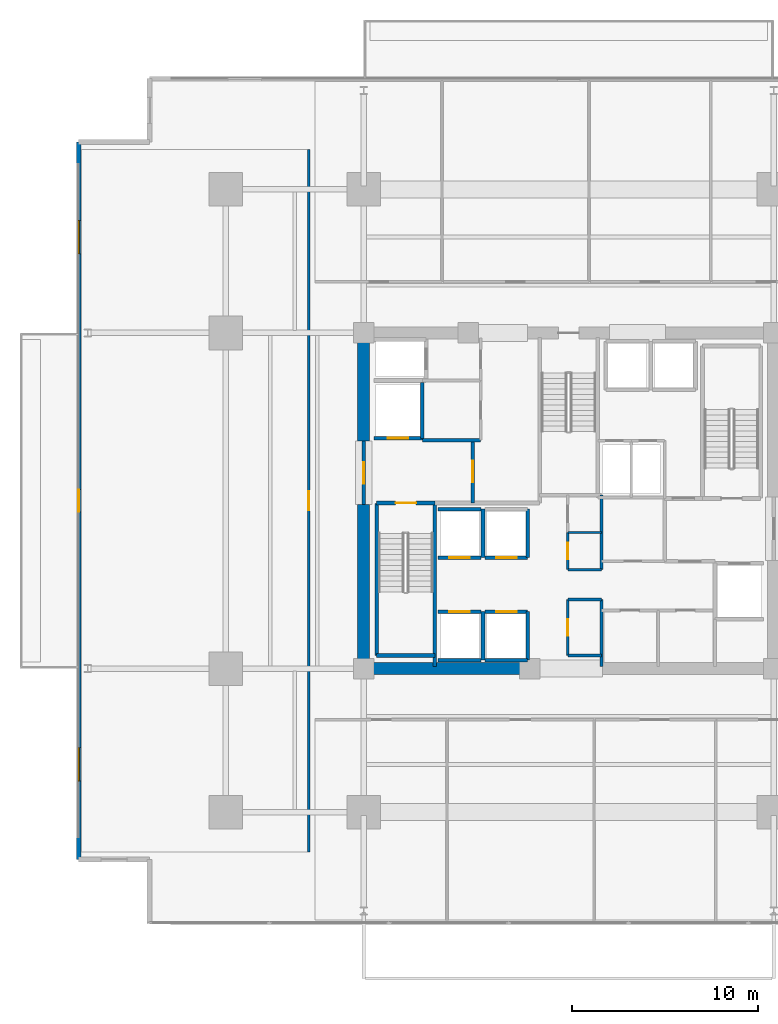
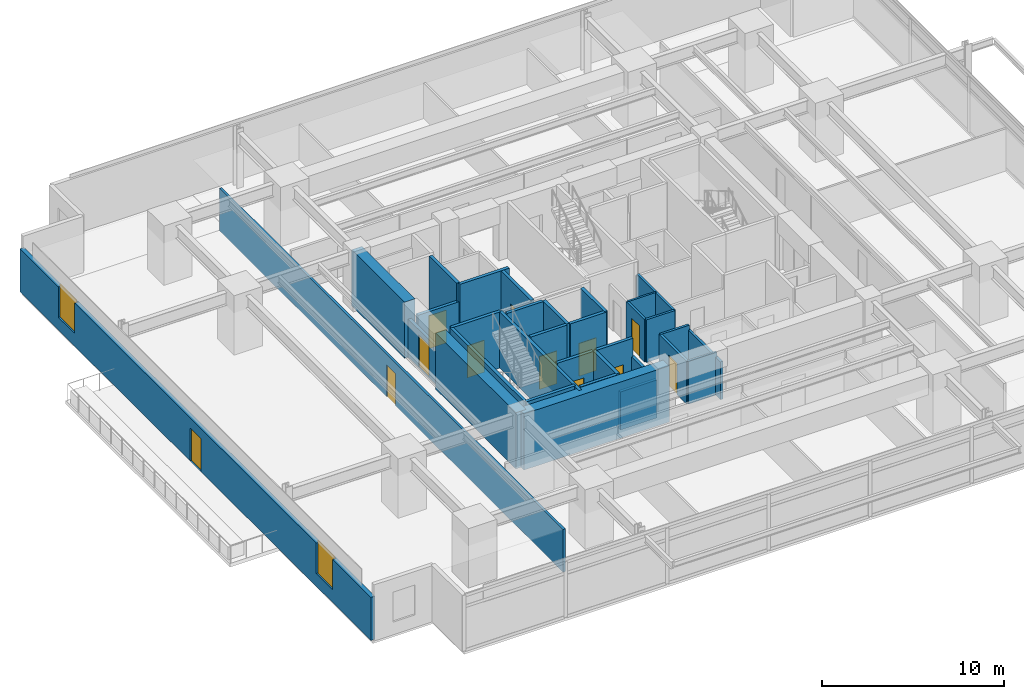
# One storey, part 12 of 19: 33 walls, 12 doors, 2 windows, 14 openings.
"""IFC4 building model written with IfcOpenShell, lengths in metres."""

from ifc_helpers import new_model, si_unit, direction, frame, frame_2d, origin, place, context, subcontext, project, spatial, rectangle, extrude, material, layer, layer_set, type_object, element, fill, save


model = new_model("IFC4")

# Units and contexts
model_context = context("Model", 3, precision=1e-05, world=origin(), true_north=direction((0.0, 1.0)))
body_context = subcontext(model_context, "Body", "Model", "MODEL_VIEW")
ifc_project = project(units=[si_unit("LENGTHUNIT", "METRE"), si_unit("AREAUNIT", "SQUARE_METRE"), si_unit("VOLUMEUNIT", "CUBIC_METRE"), si_unit("PLANEANGLEUNIT", "RADIAN"), si_unit("MASSUNIT", "GRAM", prefix="KILO")], contexts=[model_context])

# Site, building, storey
site_placement = place(None, origin())
site = spatial("IfcSite", under=ifc_project, at=site_placement, CompositionType="ELEMENT")
building_placement = place(site_placement, origin())
building = spatial("IfcBuilding", under=site, at=building_placement, Name="Kovane Verandah Tower", CompositionType="ELEMENT")
storey_placement = place(building_placement, frame((0.0, 0.0, 83.60009765625)))
storey = spatial("IfcBuildingStorey", under=building, at=storey_placement, Name="L19", CompositionType="ELEMENT", Elevation=83.60009765625)

# Walls
ifc_material_1 = material(Name="Fire-Rated Gypsum Stud Partition", Category="gypsum")
ifc_layer_1 = layer(ifc_material_1, 0.14990234375)
ifc_layer_set_1 = layer_set([ifc_layer_1], Name="Fire-Rated Gypsum Stud Partition")
wall_type_1 = type_object("IfcWallType", Name="WL-COR-150", PredefinedType="PARTITIONING", material=ifc_layer_set_1)
for number, where, z_axis, x_axis, name in (
    (1, (39.949951171875, 19.199951171875, 0.0), (0.0, 0.0, 1.0), (1.0, 0.0, 0.0), "L19 Central Core Strip South Wall"),
    (2, (39.949951171875, 22.199951171875, 0.0), (0.0, 0.0, 1.0), (1.0, 0.0, 0.0), "L19 Core Cross-Passage South Wall"),
    (3, (39.949951171875, 23.800048828125, 0.0), (0.0, 0.0, 1.0), (1.0, 0.0, 0.0), "L19 Core Cross-Passage North Wall"),
):
    element("IfcWall", number, at=place(storey_placement, frame(where, z_axis=z_axis, x_axis=x_axis)), inside=storey, type_object=wall_type_1, Name=name, PredefinedType="PARTITIONING", context=body_context, shape_type="SweptSolid", body=[
        extrude(rectangle(XDim=1.81005859375, YDim=0.14990234375, at=frame_2d((0.905029296875, 0.0))), origin(), (0.0, 0.0, 1.0), 2.849853515625),
    ])
wall_1_placement = place(storey_placement, frame((41.760009765625, 18.60009765625, 0.0), z_axis=(0.0, 0.0, 1.0), x_axis=(0.0, 1.0, 0.0)))
element("IfcWall", 4, at=wall_1_placement, inside=storey, type_object=wall_type_1, Name="L19 Central Core Strip Lower East Wall", PredefinedType="PARTITIONING", context=body_context, shape_type="SweptSolid", body=[
    extrude(rectangle(XDim=3.599853515625, YDim=0.14990234375, at=frame_2d((1.7998046875, 0.0))), origin(), (0.0, 0.0, 1.0), 2.539794921875),
])
wall_2_placement = place(storey_placement, frame((41.760009765625, 23.800048828125, 0.0), z_axis=(0.0, 0.0, 1.0), x_axis=(0.0, 1.0, 0.0)))
element("IfcWall", 5, at=wall_2_placement, inside=storey, type_object=wall_type_1, Name="L19 Central Core Strip Upper East Wall", PredefinedType="PARTITIONING", context=body_context, shape_type="SweptSolid", body=[
    extrude(rectangle(XDim=4.0, YDim=0.14990234375, at=frame_2d((2.0, 0.0))), origin(), (0.0, 0.0, 1.0), 2.849853515625),
])

# Wall, opening, door
wall_3_placement = place(storey_placement, frame((39.949951171875, 19.199951171875, 0.0), z_axis=(0.0, 0.0, 1.0), x_axis=(0.0, 1.0, 0.0)))
wall_3 = element("IfcWall", 6, at=wall_3_placement, inside=storey, type_object=wall_type_1, Name="L19 Male Toilet Partition", PredefinedType="PARTITIONING", context=body_context, shape_type="SweptSolid", body=[
    extrude(rectangle(XDim=3.0, YDim=0.14990234375, at=frame_2d((1.5, 0.0))), origin(), (0.0, 0.0, 1.0), 2.849853515625),
])
opening_1_placement = place(wall_3_placement, frame((1.050048828125, 0.0, 0.0)))
opening_1 = element("IfcOpeningElement", 7, at=opening_1_placement, cuts=wall_3, Name="Opening DR-L19-030", PredefinedType="OPENING", context=body_context, shape_type="SweptSolid", body=[
    extrude(rectangle(XDim=0.89990234375, YDim=2.10009765625, at=frame_2d((0.449951171875, 1.050048828125))), frame((0.0, 0.074951171875, 0.0), z_axis=(0.0, -1.0, 0.0), x_axis=(1.0, 0.0, 0.0)), (0.0, 0.0, 1.0), 0.14990234375),
])
ifc_material_2 = material(Name="Moisture-Resistant Laminate Washroom Door", Category="wood")
door_type_1 = type_object("IfcDoorType", Name="DR-WC-900", OperationType="SINGLE_SWING_LEFT", PredefinedType="DOOR", material=ifc_material_2)
door_1_placement = place(opening_1_placement, origin())
door_1 = element("IfcDoor", 8, at=door_1_placement, inside=storey, type_object=door_type_1, Name="L19 Male Toilet Door", OperationType="SINGLE_SWING_RIGHT", OverallHeight=2.10009765625, OverallWidth=0.89990234375, PredefinedType="DOOR", context=body_context, shape_type="SweptSolid", body=[
    extrude(rectangle(XDim=0.89990234375, YDim=2.10009765625, at=frame_2d((0.449951171875, 1.050048828125))), frame((0.0, 0.02490234375, 0.0), z_axis=(0.0, -1.0, 0.0), x_axis=(1.0, 0.0, 0.0)), (0.0, 0.0, 1.0), 0.050048828125),
])
fill(opening_1, door_1)

wall_4_placement = place(storey_placement, frame((39.949951171875, 23.800048828125, 0.0), z_axis=(0.0, 0.0, 1.0), x_axis=(0.0, 1.0, 0.0)))
wall_4 = element("IfcWall", 9, at=wall_4_placement, inside=storey, type_object=wall_type_1, Name="L19 Female Toilet Partition", PredefinedType="PARTITIONING", context=body_context, shape_type="SweptSolid", body=[
    extrude(rectangle(XDim=2.0, YDim=0.14990234375, at=frame_2d((1.0, 0.0))), origin(), (0.0, 0.0, 1.0), 2.849853515625),
])
opening_2_placement = place(wall_4_placement, frame((0.550048828125, 0.0, 0.0)))
opening_2 = element("IfcOpeningElement", 10, at=opening_2_placement, cuts=wall_4, Name="Opening DR-L19-029", PredefinedType="OPENING", context=body_context, shape_type="SweptSolid", body=[
    extrude(rectangle(XDim=0.89990234375, YDim=2.10009765625, at=frame_2d((0.449951171875, 1.050048828125))), frame((0.0, 0.074951171875, 0.0), z_axis=(0.0, -1.0, 0.0), x_axis=(1.0, 0.0, 0.0)), (0.0, 0.0, 1.0), 0.14990234375),
])
door_2_placement = place(opening_2_placement, origin())
door_2 = element("IfcDoor", 11, at=door_2_placement, inside=storey, type_object=door_type_1, Name="L19 Female Toilet Door", OperationType="SINGLE_SWING_LEFT", OverallHeight=2.10009765625, OverallWidth=0.89990234375, PredefinedType="DOOR", context=body_context, shape_type="SweptSolid", body=[
    extrude(rectangle(XDim=0.89990234375, YDim=2.10009765625, at=frame_2d((0.449951171875, 1.050048828125))), frame((0.0, 0.02490234375, 0.0), z_axis=(0.0, -1.0, 0.0), x_axis=(1.0, 0.0, 0.0)), (0.0, 0.0, 1.0), 0.050048828125),
])
fill(opening_2, door_2)

wall_5_placement = place(storey_placement, frame((26.050048828125, 8.660888671875, 0.0), z_axis=(0.0, 0.0, 1.0), x_axis=(0.0, 1.0, 0.0)))
wall_5 = element("IfcWall", 12, at=wall_5_placement, inside=storey, type_object=wall_type_1, Name="L19 Focus Studio W1 Corridor Partition", PredefinedType="PARTITIONING", context=body_context, shape_type="SweptSolid", body=[
    extrude(rectangle(XDim=37.67822265625, YDim=0.14990234375, at=frame_2d((18.839111328125, 0.0))), origin(), (0.0, 0.0, 1.0), 2.849853515625),
])
opening_3_placement = place(wall_5_placement, frame((18.339111328125, 0.0, 0.0)))
opening_3 = element("IfcOpeningElement", 13, at=opening_3_placement, cuts=wall_5, Name="Opening DR-L19-031", PredefinedType="OPENING", context=body_context, shape_type="SweptSolid", body=[
    extrude(rectangle(XDim=1.0, YDim=2.14990234375, at=frame_2d((0.5, 1.074951171875))), frame((0.0, 0.074951171875, 0.0), z_axis=(0.0, -1.0, 0.0), x_axis=(1.0, 0.0, 0.0)), (0.0, 0.0, 1.0), 0.14990234375),
])
ifc_material_3 = material(Name="FSC Spotted-Gum Timber Fire-Rated Office Door", Category="wood")
door_type_2 = type_object("IfcDoorType", Name="DR-OFF-1000", OperationType="SINGLE_SWING_LEFT", PredefinedType="DOOR", material=ifc_material_3)
door_3_placement = place(opening_3_placement, origin())
door_3 = element("IfcDoor", 14, at=door_3_placement, inside=storey, type_object=door_type_2, Name="L19 Focus Studio W1 Entrance Door", OperationType="SINGLE_SWING_RIGHT", OverallHeight=2.14990234375, OverallWidth=1.0, PredefinedType="DOOR", context=body_context, shape_type="SweptSolid", body=[
    extrude(rectangle(XDim=1.0, YDim=2.14990234375, at=frame_2d((0.5, 1.074951171875))), frame((0.0, 0.02490234375, 0.0), z_axis=(0.0, -1.0, 0.0), x_axis=(1.0, 0.0, 0.0)), (0.0, 0.0, 1.0), 0.050048828125),
])
fill(opening_3, door_3)

# Walls
ifc_material_4 = material(Name="Concrete C80/95", Category="concrete")
ifc_layer_2 = layer(ifc_material_4, 0.64990234375)
ifc_layer_set_2 = layer_set([ifc_layer_2], Name="Concrete C80/95")
wall_type_2 = type_object("IfcWallType", Name="WL-CORE-650", PredefinedType="SHEAR", material=ifc_layer_set_2)
wall_6_placement = place(storey_placement, frame((29.0, 18.5, 0.0), z_axis=(0.0, 0.0, 1.0), x_axis=(1.0, 0.0, 0.0)))
element("IfcWall", 15, at=wall_6_placement, inside=storey, type_object=wall_type_2, Name="L19 Core Shear Wall CS-1", PredefinedType="SHEAR", context=body_context, shape_type="SweptSolid", body=[
    extrude(rectangle(XDim=9.199951171875, YDim=0.64990234375, at=frame_2d((4.60009765625, 0.0))), origin(), (0.0, 0.0, 1.0), 3.760009765625),
])
wall_7_placement = place(storey_placement, frame((29.0, 18.5, 0.0), z_axis=(0.0, 0.0, 1.0), x_axis=(0.0, 1.0, 0.0)))
element("IfcWall", 16, at=wall_7_placement, inside=storey, type_object=wall_type_2, Name="L19 Core Shear Wall CW-1", PredefinedType="SHEAR", context=body_context, shape_type="SweptSolid", body=[
    extrude(rectangle(XDim=8.800048828125, YDim=0.64990234375, at=frame_2d((4.39990234375, 0.0))), origin(), (0.0, 0.0, 1.0), 3.760009765625),
])
wall_8_placement = place(storey_placement, frame((29.0, 30.699951171875, 0.0), z_axis=(0.0, 0.0, 1.0), x_axis=(0.0, 1.0, 0.0)))
element("IfcWall", 17, at=wall_8_placement, inside=storey, type_object=wall_type_2, Name="L19 Core Shear Wall CW-2", PredefinedType="SHEAR", context=body_context, shape_type="SweptSolid", body=[
    extrude(rectangle(XDim=5.800048828125, YDim=0.64990234375, at=frame_2d((2.89990234375, 0.0))), origin(), (0.0, 0.0, 1.0), 3.760009765625),
])

# Wall, opening, door
ifc_material_5 = material(Name="Concrete C45/55 Fire Wall", Category="concrete")
ifc_layer_3 = layer(ifc_material_5, 0.199951171875)
ifc_layer_set_3 = layer_set([ifc_layer_3], Name="Concrete C45/55 Fire Wall")
wall_type_3 = type_object("IfcWallType", Name="WL-FFL-200", PredefinedType="PARTITIONING", material=ifc_layer_set_3)
wall_9_placement = place(storey_placement, frame((34.85009765625, 27.3798828125, 0.0), z_axis=(0.0, 0.0, 1.0), x_axis=(0.0, 1.0, 0.0)))
wall_9 = element("IfcWall", 18, at=wall_9_placement, inside=storey, type_object=wall_type_3, Name="W-L19-FFLW-E", PredefinedType="PARTITIONING", context=body_context, shape_type="SweptSolid", body=[
    extrude(rectangle(XDim=3.3701171875, YDim=0.199951171875, at=frame_2d((1.68505859375, 0.0))), origin(), (0.0, 0.0, 1.0), 3.760009765625),
])
opening_4_placement = place(wall_9_placement, frame((1.110107421875, 0.0, 0.0)))
opening_4 = element("IfcOpeningElement", 19, at=opening_4_placement, cuts=wall_9, Name="Opening DR-L19-006", PredefinedType="OPENING", context=body_context, shape_type="SweptSolid", body=[
    extrude(rectangle(XDim=1.14990234375, YDim=2.199951171875, at=frame_2d((0.574951171875, 1.10009765625))), frame((0.0, 0.10009765625, 0.0), z_axis=(0.0, -1.0, 0.0), x_axis=(1.0, 0.0, 0.0)), (0.0, 0.0, 1.0), 0.199951171875),
])
ifc_material_6 = material(Name="Smoke-Sealed Firefighting Lobby Door", Category="steel")
door_type_3 = type_object("IfcDoorType", Name="DR-FFL-1150", OperationType="SINGLE_SWING_LEFT", PredefinedType="DOOR", material=ifc_material_6)
door_4_placement = place(opening_4_placement, origin())
door_4 = element("IfcDoor", 20, at=door_4_placement, inside=storey, type_object=door_type_3, Name="L19 West Firefighting Lobby Inner Door", OperationType="SINGLE_SWING_LEFT", OverallHeight=2.199951171875, OverallWidth=1.14990234375, PredefinedType="DOOR", context=body_context, shape_type="SweptSolid", body=[
    extrude(rectangle(XDim=1.14990234375, YDim=2.199951171875, at=frame_2d((0.574951171875, 1.10009765625))), frame((0.0, 0.02490234375, 0.0), z_axis=(0.0, -1.0, 0.0), x_axis=(1.0, 0.0, 0.0)), (0.0, 0.0, 1.0), 0.050048828125),
])
fill(opening_4, door_4)

wall_10_placement = place(storey_placement, frame((29.0, 27.300048828125, 0.0), z_axis=(0.0, 0.0, 1.0), x_axis=(0.0, 1.0, 0.0)))
wall_10 = element("IfcWall", 21, at=wall_10_placement, inside=storey, type_object=wall_type_3, Name="W-L19-FFLW-OUT", PredefinedType="PARTITIONING", context=body_context, shape_type="SweptSolid", body=[
    extrude(rectangle(XDim=3.39990234375, YDim=0.199951171875, at=frame_2d((1.699951171875, 0.0))), origin(), (0.0, 0.0, 1.0), 2.539794921875),
])
opening_5_placement = place(wall_10_placement, frame((1.125, 0.0, 0.0)))
opening_5 = element("IfcOpeningElement", 22, at=opening_5_placement, cuts=wall_10, Name="Opening DR-L19-007", PredefinedType="OPENING", context=body_context, shape_type="SweptSolid", body=[
    extrude(rectangle(XDim=1.14990234375, YDim=2.199951171875, at=frame_2d((0.574951171875, 1.10009765625))), frame((0.0, 0.10009765625, 0.0), z_axis=(0.0, -1.0, 0.0), x_axis=(1.0, 0.0, 0.0)), (0.0, 0.0, 1.0), 0.199951171875),
])
door_5_placement = place(opening_5_placement, origin())
door_5 = element("IfcDoor", 23, at=door_5_placement, inside=storey, type_object=door_type_3, Name="L19 West Firefighting Lobby Corridor Door", OperationType="SINGLE_SWING_RIGHT", OverallHeight=2.199951171875, OverallWidth=1.14990234375, PredefinedType="DOOR", context=body_context, shape_type="SweptSolid", body=[
    extrude(rectangle(XDim=1.14990234375, YDim=2.199951171875, at=frame_2d((0.574951171875, 1.10009765625))), frame((0.0, 0.02490234375, 0.0), z_axis=(0.0, -1.0, 0.0), x_axis=(1.0, 0.0, 0.0)), (0.0, 0.0, 1.0), 0.050048828125),
])
fill(opening_5, door_5)

# Wall
wall_11_placement = place(storey_placement, frame((32.14990234375, 30.75, 0.0), z_axis=(0.0, 0.0, 1.0), x_axis=(1.0, 0.0, 0.0)))
element("IfcWall", 24, at=wall_11_placement, inside=storey, type_object=wall_type_3, Name="L19 West Firefighting Lobby North Fire Wall", PredefinedType="PARTITIONING", context=body_context, shape_type="SweptSolid", body=[
    extrude(rectangle(XDim=3.130126953125, YDim=0.199951171875, at=frame_2d((1.56494140625, 0.0))), origin(), (0.0, 0.0, 1.0), 3.760009765625),
])

# Wall, opening, door
ifc_material_7 = material(Name="Concrete C45/55 Lift Shaft Wall", Category="concrete")
ifc_layer_4 = layer(ifc_material_7, 0.199951171875)
ifc_layer_set_4 = layer_set([ifc_layer_4], Name="Concrete C45/55 Lift Shaft Wall")
wall_type_4 = type_object("IfcWallType", Name="WL-LIFT-200", PredefinedType="SOLIDWALL", material=ifc_layer_set_4)
wall_12_placement = place(storey_placement, frame((29.550048828125, 30.85009765625, 0.0), z_axis=(0.0, 0.0, 1.0), x_axis=(1.0, 0.0, 0.0)))
wall_12 = element("IfcWall", 25, at=wall_12_placement, inside=storey, type_object=wall_type_4, Name="L19 Lift FL-01 S Shaft Wall", PredefinedType="SOLIDWALL", context=body_context, shape_type="SweptSolid", body=[
    extrude(rectangle(XDim=2.599853515625, YDim=0.199951171875, at=frame_2d((1.2998046875, 0.0))), origin(), (0.0, 0.0, 1.0), 2.539794921875),
])
opening_6_placement = place(wall_12_placement, frame((0.75, 0.0, 0.0)))
opening_6 = element("IfcOpeningElement", 26, at=opening_6_placement, cuts=wall_12, Name="Opening LD-L19-001", PredefinedType="OPENING", context=body_context, shape_type="SweptSolid", body=[
    extrude(rectangle(XDim=1.10009765625, YDim=2.199951171875, at=frame_2d((0.550048828125, 1.10009765625))), frame((0.0, 0.10009765625, 0.0), z_axis=(0.0, -1.0, 0.0), x_axis=(1.0, 0.0, 0.0)), (0.0, 0.0, 1.0), 0.199951171875),
])
ifc_material_8 = material(Name="Brushed Stainless Steel Sliding Lift Landing Door", Category="steel")
door_type_4 = type_object("IfcDoorType", Name="DR-LIFT-1100", OperationType="SLIDING_TO_RIGHT", PredefinedType="DOOR", material=ifc_material_8)
door_6_placement = place(opening_6_placement, origin())
door_6 = element("IfcDoor", 27, at=door_6_placement, inside=storey, type_object=door_type_4, Name="L19 Lift FL-01 Sliding Landing Door", OperationType="SLIDING_TO_RIGHT", OverallHeight=2.199951171875, OverallWidth=1.10009765625, PredefinedType="DOOR", context=body_context, shape_type="SweptSolid", body=[
    extrude(rectangle(XDim=1.10009765625, YDim=2.199951171875, at=frame_2d((0.550048828125, 1.10009765625))), frame((0.0, 0.02490234375, 0.0), z_axis=(0.0, -1.0, 0.0), x_axis=(1.0, 0.0, 0.0)), (0.0, 0.0, 1.0), 0.050048828125),
])
fill(opening_6, door_6)

# Walls
wall_13_placement = place(storey_placement, frame((32.14990234375, 30.85009765625, 0.0), z_axis=(0.0, 0.0, 1.0), x_axis=(0.0, 1.0, 0.0)))
element("IfcWall", 28, at=wall_13_placement, inside=storey, type_object=wall_type_4, Name="L19 Lift FL-01 E Shaft Wall", PredefinedType="SOLIDWALL", context=body_context, shape_type="SweptSolid", body=[
    extrude(rectangle(XDim=3.0, YDim=0.199951171875, at=frame_2d((1.5, 0.0))), origin(), (0.0, 0.0, 1.0), 3.760009765625),
])
wall_14_placement = place(storey_placement, frame((33.0, 18.949951171875, 0.0), z_axis=(0.0, 0.0, 1.0), x_axis=(1.0, 0.0, 0.0)))
element("IfcWall", 29, at=wall_14_placement, inside=storey, type_object=wall_type_4, Name="L19 Lift PL-L1 S Shaft Wall", PredefinedType="SOLIDWALL", context=body_context, shape_type="SweptSolid", body=[
    extrude(rectangle(XDim=2.300048828125, YDim=0.199951171875, at=frame_2d((1.14990234375, 0.0))), origin(), (0.0, 0.0, 1.0), 3.760009765625),
])

# Wall, opening, door
wall_15_placement = place(storey_placement, frame((35.300048828125, 21.550048828125, 0.0), z_axis=(0.0, 0.0, 1.0), x_axis=(-1.0, 0.0, 0.0)))
wall_15 = element("IfcWall", 30, at=wall_15_placement, inside=storey, type_object=wall_type_4, Name="L19 Lift PL-L1 N Shaft Wall", PredefinedType="SOLIDWALL", context=body_context, shape_type="SweptSolid", body=[
    extrude(rectangle(XDim=2.300048828125, YDim=0.199951171875, at=frame_2d((1.14990234375, 0.0))), origin(), (0.0, 0.0, 1.0), 3.760009765625),
])
opening_7_placement = place(wall_15_placement, frame((0.60009765625, 0.0, 0.0)))
opening_7 = element("IfcOpeningElement", 31, at=opening_7_placement, cuts=wall_15, Name="Opening LD-L19-004", PredefinedType="OPENING", context=body_context, shape_type="SweptSolid", body=[
    extrude(rectangle(XDim=1.10009765625, YDim=2.199951171875, at=frame_2d((0.550048828125, 1.10009765625))), frame((0.0, 0.10009765625, 0.0), z_axis=(0.0, -1.0, 0.0), x_axis=(1.0, 0.0, 0.0)), (0.0, 0.0, 1.0), 0.199951171875),
])
door_7_placement = place(opening_7_placement, origin())
door_7 = element("IfcDoor", 32, at=door_7_placement, inside=storey, type_object=door_type_4, Name="L19 Lift PL-L1 Sliding Landing Door", OperationType="SLIDING_TO_RIGHT", OverallHeight=2.199951171875, OverallWidth=1.10009765625, PredefinedType="DOOR", context=body_context, shape_type="SweptSolid", body=[
    extrude(rectangle(XDim=1.10009765625, YDim=2.199951171875, at=frame_2d((0.550048828125, 1.10009765625))), frame((0.0, 0.02490234375, 0.0), z_axis=(0.0, -1.0, 0.0), x_axis=(1.0, 0.0, 0.0)), (0.0, 0.0, 1.0), 0.050048828125),
])
fill(opening_7, door_7)

# Walls
wall_16_placement = place(storey_placement, frame((35.39990234375, 18.949951171875, 0.0), z_axis=(0.0, 0.0, 1.0), x_axis=(0.0, 1.0, 0.0)))
element("IfcWall", 33, at=wall_16_placement, inside=storey, type_object=wall_type_4, Name="L19 Lift PL-L1 and PL-L2 Shared Shaft Wall", PredefinedType="SOLIDWALL", context=body_context, shape_type="SweptSolid", body=[
    extrude(rectangle(XDim=2.60009765625, YDim=0.199951171875, at=frame_2d((1.300048828125, 0.0))), origin(), (0.0, 0.0, 1.0), 3.760009765625),
])
wall_17_placement = place(storey_placement, frame((35.5, 18.949951171875, 0.0), z_axis=(0.0, 0.0, 1.0), x_axis=(1.0, 0.0, 0.0)))
element("IfcWall", 34, at=wall_17_placement, inside=storey, type_object=wall_type_4, Name="L19 Lift PL-L2 S Shaft Wall", PredefinedType="SOLIDWALL", context=body_context, shape_type="SweptSolid", body=[
    extrude(rectangle(XDim=2.300048828125, YDim=0.199951171875, at=frame_2d((1.14990234375, 0.0))), origin(), (0.0, 0.0, 1.0), 2.539794921875),
])

# Wall, opening, door
wall_18_placement = place(storey_placement, frame((37.800048828125, 21.550048828125, 0.0), z_axis=(0.0, 0.0, 1.0), x_axis=(-1.0, 0.0, 0.0)))
wall_18 = element("IfcWall", 35, at=wall_18_placement, inside=storey, type_object=wall_type_4, Name="L19 Lift PL-L2 N Shaft Wall", PredefinedType="SOLIDWALL", context=body_context, shape_type="SweptSolid", body=[
    extrude(rectangle(XDim=2.300048828125, YDim=0.199951171875, at=frame_2d((1.14990234375, 0.0))), origin(), (0.0, 0.0, 1.0), 3.760009765625),
])
opening_8_placement = place(wall_18_placement, frame((0.60009765625, 0.0, 0.0)))
opening_8 = element("IfcOpeningElement", 36, at=opening_8_placement, cuts=wall_18, Name="Opening LD-L19-005", PredefinedType="OPENING", context=body_context, shape_type="SweptSolid", body=[
    extrude(rectangle(XDim=1.10009765625, YDim=2.199951171875, at=frame_2d((0.550048828125, 1.10009765625))), frame((0.0, 0.10009765625, 0.0), z_axis=(0.0, -1.0, 0.0), x_axis=(1.0, 0.0, 0.0)), (0.0, 0.0, 1.0), 0.199951171875),
])
door_8_placement = place(opening_8_placement, origin())
door_8 = element("IfcDoor", 37, at=door_8_placement, inside=storey, type_object=door_type_4, Name="L19 Lift PL-L2 Sliding Landing Door", OperationType="SLIDING_TO_RIGHT", OverallHeight=2.199951171875, OverallWidth=1.10009765625, PredefinedType="DOOR", context=body_context, shape_type="SweptSolid", body=[
    extrude(rectangle(XDim=1.10009765625, YDim=2.199951171875, at=frame_2d((0.550048828125, 1.10009765625))), frame((0.0, 0.02490234375, 0.0), z_axis=(0.0, -1.0, 0.0), x_axis=(1.0, 0.0, 0.0)), (0.0, 0.0, 1.0), 0.050048828125),
])
fill(opening_8, door_8)

# Wall
wall_19_placement = place(storey_placement, frame((37.800048828125, 18.949951171875, 0.0), z_axis=(0.0, 0.0, 1.0), x_axis=(0.0, 1.0, 0.0)))
element("IfcWall", 38, at=wall_19_placement, inside=storey, type_object=wall_type_4, Name="L19 Lift PL-L2 E Shaft Wall", PredefinedType="SOLIDWALL", context=body_context, shape_type="SweptSolid", body=[
    extrude(rectangle(XDim=2.60009765625, YDim=0.199951171875, at=frame_2d((1.300048828125, 0.0))), origin(), (0.0, 0.0, 1.0), 2.539794921875),
])

# Wall, opening, door
wall_20_placement = place(storey_placement, frame((33.0, 24.449951171875, 0.0), z_axis=(0.0, 0.0, 1.0), x_axis=(1.0, 0.0, 0.0)))
wall_20 = element("IfcWall", 39, at=wall_20_placement, inside=storey, type_object=wall_type_4, Name="L19 Lift PL-L3 S Shaft Wall", PredefinedType="SOLIDWALL", context=body_context, shape_type="SweptSolid", body=[
    extrude(rectangle(XDim=2.300048828125, YDim=0.199951171875, at=frame_2d((1.14990234375, 0.0))), origin(), (0.0, 0.0, 1.0), 3.760009765625),
])
opening_9_placement = place(wall_20_placement, frame((0.60009765625, 0.0, 0.0)))
opening_9 = element("IfcOpeningElement", 40, at=opening_9_placement, cuts=wall_20, Name="Opening LD-L19-006", PredefinedType="OPENING", context=body_context, shape_type="SweptSolid", body=[
    extrude(rectangle(XDim=1.10009765625, YDim=2.199951171875, at=frame_2d((0.550048828125, 1.10009765625))), frame((0.0, 0.10009765625, 0.0), z_axis=(0.0, -1.0, 0.0), x_axis=(1.0, 0.0, 0.0)), (0.0, 0.0, 1.0), 0.199951171875),
])
door_9_placement = place(opening_9_placement, origin())
door_9 = element("IfcDoor", 41, at=door_9_placement, inside=storey, type_object=door_type_4, Name="L19 Lift PL-L3 Sliding Landing Door", OperationType="SLIDING_TO_RIGHT", OverallHeight=2.199951171875, OverallWidth=1.10009765625, PredefinedType="DOOR", context=body_context, shape_type="SweptSolid", body=[
    extrude(rectangle(XDim=1.10009765625, YDim=2.199951171875, at=frame_2d((0.550048828125, 1.10009765625))), frame((0.0, 0.02490234375, 0.0), z_axis=(0.0, -1.0, 0.0), x_axis=(1.0, 0.0, 0.0)), (0.0, 0.0, 1.0), 0.050048828125),
])
fill(opening_9, door_9)

# Walls
wall_21_placement = place(storey_placement, frame((35.300048828125, 27.050048828125, 0.0), z_axis=(0.0, 0.0, 1.0), x_axis=(-1.0, 0.0, 0.0)))
element("IfcWall", 42, at=wall_21_placement, inside=storey, type_object=wall_type_4, Name="L19 Lift PL-L3 N Shaft Wall", PredefinedType="SOLIDWALL", context=body_context, shape_type="SweptSolid", body=[
    extrude(rectangle(XDim=2.300048828125, YDim=0.199951171875, at=frame_2d((1.14990234375, 0.0))), origin(), (0.0, 0.0, 1.0), 3.760009765625),
])
wall_22_placement = place(storey_placement, frame((35.39990234375, 24.449951171875, 0.0), z_axis=(0.0, 0.0, 1.0), x_axis=(0.0, 1.0, 0.0)))
element("IfcWall", 43, at=wall_22_placement, inside=storey, type_object=wall_type_4, Name="L19 Lift PL-L3 and PL-L4 Shared Shaft Wall", PredefinedType="SOLIDWALL", context=body_context, shape_type="SweptSolid", body=[
    extrude(rectangle(XDim=2.60009765625, YDim=0.199951171875, at=frame_2d((1.300048828125, 0.0))), origin(), (0.0, 0.0, 1.0), 3.760009765625),
])

# Wall, opening, door
wall_23_placement = place(storey_placement, frame((35.5, 24.449951171875, 0.0), z_axis=(0.0, 0.0, 1.0), x_axis=(1.0, 0.0, 0.0)))
wall_23 = element("IfcWall", 44, at=wall_23_placement, inside=storey, type_object=wall_type_4, Name="L19 Lift PL-L4 S Shaft Wall", PredefinedType="SOLIDWALL", context=body_context, shape_type="SweptSolid", body=[
    extrude(rectangle(XDim=2.300048828125, YDim=0.199951171875, at=frame_2d((1.14990234375, 0.0))), origin(), (0.0, 0.0, 1.0), 3.760009765625),
])
opening_10_placement = place(wall_23_placement, frame((0.60009765625, 0.0, 0.0)))
opening_10 = element("IfcOpeningElement", 45, at=opening_10_placement, cuts=wall_23, Name="Opening LD-L19-007", PredefinedType="OPENING", context=body_context, shape_type="SweptSolid", body=[
    extrude(rectangle(XDim=1.10009765625, YDim=2.199951171875, at=frame_2d((0.550048828125, 1.10009765625))), frame((0.0, 0.10009765625, 0.0), z_axis=(0.0, -1.0, 0.0), x_axis=(1.0, 0.0, 0.0)), (0.0, 0.0, 1.0), 0.199951171875),
])
door_10_placement = place(opening_10_placement, origin())
door_10 = element("IfcDoor", 46, at=door_10_placement, inside=storey, type_object=door_type_4, Name="L19 Lift PL-L4 Sliding Landing Door", OperationType="SLIDING_TO_RIGHT", OverallHeight=2.199951171875, OverallWidth=1.10009765625, PredefinedType="DOOR", context=body_context, shape_type="SweptSolid", body=[
    extrude(rectangle(XDim=1.10009765625, YDim=2.199951171875, at=frame_2d((0.550048828125, 1.10009765625))), frame((0.0, 0.02490234375, 0.0), z_axis=(0.0, -1.0, 0.0), x_axis=(1.0, 0.0, 0.0)), (0.0, 0.0, 1.0), 0.050048828125),
])
fill(opening_10, door_10)

# Walls
wall_24_placement = place(storey_placement, frame((37.800048828125, 24.449951171875, 0.0), z_axis=(0.0, 0.0, 1.0), x_axis=(0.0, 1.0, 0.0)))
element("IfcWall", 47, at=wall_24_placement, inside=storey, type_object=wall_type_4, Name="L19 Lift PL-L4 E Shaft Wall", PredefinedType="SOLIDWALL", context=body_context, shape_type="SweptSolid", body=[
    extrude(rectangle(XDim=2.60009765625, YDim=0.199951171875, at=frame_2d((1.300048828125, 0.0))), origin(), (0.0, 0.0, 1.0), 3.760009765625),
])
ifc_material_9 = material(Name="Acoustic Fire-Rated Gypsum Partition", Category="gypsum")
ifc_layer_5 = layer(ifc_material_9, 0.1201171875)
ifc_layer_set_5 = layer_set([ifc_layer_5], Name="Acoustic Fire-Rated Gypsum Partition")
wall_type_5 = type_object("IfcWallType", Name="WL-PART-120", PredefinedType="PARTITIONING", material=ifc_layer_set_5)
wall_25_placement = place(storey_placement, frame((39.949951171875, 25.800048828125, 0.0), z_axis=(0.0, 0.0, 1.0), x_axis=(1.0, 0.0, 0.0)))
element("IfcWall", 48, at=wall_25_placement, inside=storey, type_object=wall_type_5, Name="L19 Central Core Strip Upper Dividing Partition", PredefinedType="PARTITIONING", context=body_context, shape_type="SweptSolid", body=[
    extrude(rectangle(XDim=1.81005859375, YDim=0.1201171875, at=frame_2d((0.905029296875, 0.0))), origin(), (0.0, 0.0, 1.0), 2.849853515625),
])
ifc_material_10 = material(Name="Concrete C45/55", Category="concrete")
ifc_layer_6 = layer(ifc_material_10, 0.199951171875)
ifc_layer_set_6 = layer_set([ifc_layer_6], Name="Concrete C45/55")
wall_type_6 = type_object("IfcWallType", Name="WL-SHAFT-200", PredefinedType="SOLIDWALL", material=ifc_layer_set_6)
wall_26_placement = place(storey_placement, frame((29.699951171875, 19.199951171875, 0.0), z_axis=(0.0, 0.0, 1.0), x_axis=(0.0, 1.0, 0.0)))
element("IfcWall", 49, at=wall_26_placement, inside=storey, type_object=wall_type_6, Name="W-L19-ST01-W", PredefinedType="SOLIDWALL", context=body_context, shape_type="SweptSolid", body=[
    extrude(rectangle(XDim=8.150146484375, YDim=0.199951171875, at=frame_2d((4.0751953125, 0.0))), origin(), (0.0, 0.0, 1.0), 3.760009765625),
])
wall_27_placement = place(storey_placement, frame((29.699951171875, 19.199951171875, 0.0), z_axis=(0.0, 0.0, 1.0), x_axis=(1.0, 0.0, 0.0)))
element("IfcWall", 50, at=wall_27_placement, inside=storey, type_object=wall_type_6, Name="W-L19-ST01-S", PredefinedType="SOLIDWALL", context=body_context, shape_type="SweptSolid", body=[
    extrude(rectangle(XDim=3.1201171875, YDim=0.199951171875, at=frame_2d((1.56005859375, 0.0))), origin(), (0.0, 0.0, 1.0), 3.760009765625),
])
wall_28_placement = place(storey_placement, frame((32.820068359375, 18.60009765625, 0.0), z_axis=(0.0, 0.0, 1.0), x_axis=(0.0, 1.0, 0.0)))
element("IfcWall", 51, at=wall_28_placement, inside=storey, type_object=wall_type_6, Name="W-L19-ST01-E", PredefinedType="SOLIDWALL", context=body_context, shape_type="SweptSolid", body=[
    extrude(rectangle(XDim=8.77978515625, YDim=0.199951171875, at=frame_2d((4.389892578125, 0.0))), origin(), (0.0, 0.0, 1.0), 3.760009765625),
])

# Wall, opening, door
wall_29_placement = place(storey_placement, frame((29.699951171875, 27.3798828125, 0.0), z_axis=(0.0, 0.0, 1.0), x_axis=(1.0, 0.0, 0.0)))
wall_29 = element("IfcWall", 52, at=wall_29_placement, inside=storey, type_object=wall_type_6, Name="W-L19-ST01-N", PredefinedType="SOLIDWALL", context=body_context, shape_type="SweptSolid", body=[
    extrude(rectangle(XDim=3.1201171875, YDim=0.199951171875, at=frame_2d((1.56005859375, 0.0))), origin(), (0.0, 0.0, 1.0), 3.760009765625),
])
opening_11_placement = place(wall_29_placement, frame((1.010009765625, 0.0, 0.0)))
opening_11 = element("IfcOpeningElement", 53, at=opening_11_placement, cuts=wall_29, Name="Opening DR-L19-009", PredefinedType="OPENING", context=body_context, shape_type="SweptSolid", body=[
    extrude(rectangle(XDim=1.10009765625, YDim=2.14990234375, at=frame_2d((0.550048828125, 1.074951171875))), frame((0.0, 0.10009765625, 0.0), z_axis=(0.0, -1.0, 0.0), x_axis=(1.0, 0.0, 0.0)), (0.0, 0.0, 1.0), 0.199951171875),
])
ifc_material_11 = material(Name="Fire-Rated Steel Exit Door", Category="steel")
door_type_5 = type_object("IfcDoorType", Name="DR-STAIR-1100", OperationType="SINGLE_SWING_LEFT", PredefinedType="DOOR", material=ifc_material_11)
door_11_placement = place(opening_11_placement, origin())
door_11 = element("IfcDoor", 54, at=door_11_placement, inside=storey, type_object=door_type_5, Name="L19 ST-01 Fire Exit Stair Door", OperationType="SINGLE_SWING_LEFT", OverallHeight=2.14990234375, OverallWidth=1.10009765625, PredefinedType="DOOR", context=body_context, shape_type="SweptSolid", body=[
    extrude(rectangle(XDim=1.10009765625, YDim=2.14990234375, at=frame_2d((0.550048828125, 1.074951171875))), frame((0.0, 0.02490234375, 0.0), z_axis=(0.0, -1.0, 0.0), x_axis=(1.0, 0.0, 0.0)), (0.0, 0.0, 1.0), 0.050048828125),
])
fill(opening_11, door_11)

# Wall, openings, door, windows
ifc_material_12 = material(Name="Concrete C45/55 Insulated Spandrel Wall", Category="concrete")
ifc_layer_7 = layer(ifc_material_12, 0.260009765625)
ifc_layer_set_7 = layer_set([ifc_layer_7], Name="Concrete C45/55 Insulated Spandrel Wall")
wall_type_7 = type_object("IfcWallType", Name="WL-SPANDREL-260", PredefinedType="PARAPET", material=ifc_layer_set_7)
wall_30_placement = place(storey_placement, frame((13.71533203125, 46.7392578125, 0.0), z_axis=(0.0, 0.0, 1.0), x_axis=(0.0, -1.0, 0.0)))
wall_30 = element("IfcWall", 55, at=wall_30_placement, inside=storey, type_object=wall_type_7, Name="L19 W Verandah Access Facade Wall", PredefinedType="PARAPET", context=body_context, shape_type="SweptSolid", body=[
    extrude(rectangle(XDim=38.478515625, YDim=0.260009765625, at=frame_2d((19.2392578125, 0.0))), origin(), (0.0, 0.0, 1.0), 2.88916015625),
])
opening_12_placement = place(wall_30_placement, frame((4.199951171875, 0.0, 0.85009765625)))
opening_12 = element("IfcOpeningElement", 56, at=opening_12_placement, cuts=wall_30, Name="Opening W-03", PredefinedType="OPENING", context=body_context, shape_type="SweptSolid", body=[
    extrude(rectangle(XDim=1.800048828125, YDim=2.199951171875, at=frame_2d((0.89990234375, 1.10009765625))), frame((0.0, 0.1298828125, 0.0), z_axis=(0.0, -1.0, 0.0), x_axis=(1.0, 0.0, 0.0)), (0.0, 0.0, 1.0), 0.260009765625),
])
opening_13_placement = place(wall_30_placement, frame((18.63916015625, 0.0, 0.0)))
opening_13 = element("IfcOpeningElement", 57, at=opening_13_placement, cuts=wall_30, Name="Opening DR-L19-002", PredefinedType="OPENING", context=body_context, shape_type="SweptSolid", body=[
    extrude(rectangle(XDim=1.199951171875, YDim=2.199951171875, at=frame_2d((0.60009765625, 1.10009765625))), frame((0.0, 0.1298828125, 0.0), z_axis=(0.0, -1.0, 0.0), x_axis=(1.0, 0.0, 0.0)), (0.0, 0.0, 1.0), 0.260009765625),
])
opening_14_placement = place(wall_30_placement, frame((32.478515625, 0.0, 0.85009765625)))
opening_14 = element("IfcOpeningElement", 58, at=opening_14_placement, cuts=wall_30, Name="Opening W-03", PredefinedType="OPENING", context=body_context, shape_type="SweptSolid", body=[
    extrude(rectangle(XDim=1.800048828125, YDim=2.199951171875, at=frame_2d((0.89990234375, 1.10009765625))), frame((0.0, 0.1298828125, 0.0), z_axis=(0.0, -1.0, 0.0), x_axis=(1.0, 0.0, 0.0)), (0.0, 0.0, 1.0), 0.260009765625),
])
ifc_material_13 = material(Name="Cyclone-Rated Glazed Balcony Leaf Door", Category="aluminium")
door_type_6 = type_object("IfcDoorType", Name="DR-BAL-1200x2200", OperationType="SINGLE_SWING_LEFT", PredefinedType="DOOR", material=ifc_material_13)
door_12_placement = place(opening_13_placement, origin())
door_12 = element("IfcDoor", 59, at=door_12_placement, inside=storey, type_object=door_type_6, Name="L19 W Planted Balcony Access Door", OperationType="SINGLE_SWING_LEFT", OverallHeight=2.199951171875, OverallWidth=1.199951171875, PredefinedType="DOOR", context=body_context, shape_type="SweptSolid", body=[
    extrude(rectangle(XDim=1.199951171875, YDim=2.199951171875, at=frame_2d((0.60009765625, 1.10009765625))), frame((0.0, 0.02490234375, 0.0), z_axis=(0.0, -1.0, 0.0), x_axis=(1.0, 0.0, 0.0)), (0.0, 0.0, 1.0), 0.050048828125),
])
fill(opening_13, door_12)
ifc_material_14 = material(Name="Clear Low-E Laminated Double Glazing in Anodised Frame", Category="glass")
window_type = type_object("IfcWindowType", Name="WN-NOTCH-1800x2200", PartitioningType="SINGLE_PANEL", PredefinedType="WINDOW", material=ifc_material_14)
window_1_placement = place(opening_12_placement, origin())
window_1 = element("IfcWindow", 60, at=window_1_placement, inside=storey, type_object=window_type, Name="L19 W Verandah View Window 1", OverallHeight=2.199951171875, OverallWidth=1.800048828125, PartitioningType="SINGLE_PANEL", PredefinedType="WINDOW", context=body_context, shape_type="SweptSolid", body=[
    extrude(rectangle(XDim=1.800048828125, YDim=2.199951171875, at=frame_2d((0.89990234375, 1.10009765625))), frame((0.0, 0.030029296875, 0.0), z_axis=(0.0, -1.0, 0.0), x_axis=(1.0, 0.0, 0.0)), (0.0, 0.0, 1.0), 0.06005859375),
])
fill(opening_12, window_1)
window_2_placement = place(opening_14_placement, origin())
window_2 = element("IfcWindow", 61, at=window_2_placement, inside=storey, type_object=window_type, Name="L19 W Verandah View Window 2", OverallHeight=2.199951171875, OverallWidth=1.800048828125, PartitioningType="SINGLE_PANEL", PredefinedType="WINDOW", context=body_context, shape_type="SweptSolid", body=[
    extrude(rectangle(XDim=1.800048828125, YDim=2.199951171875, at=frame_2d((0.89990234375, 1.10009765625))), frame((0.0, 0.030029296875, 0.0), z_axis=(0.0, -1.0, 0.0), x_axis=(1.0, 0.0, 0.0)), (0.0, 0.0, 1.0), 0.06005859375),
])
fill(opening_14, window_2)

save(model, "model.ifc")
